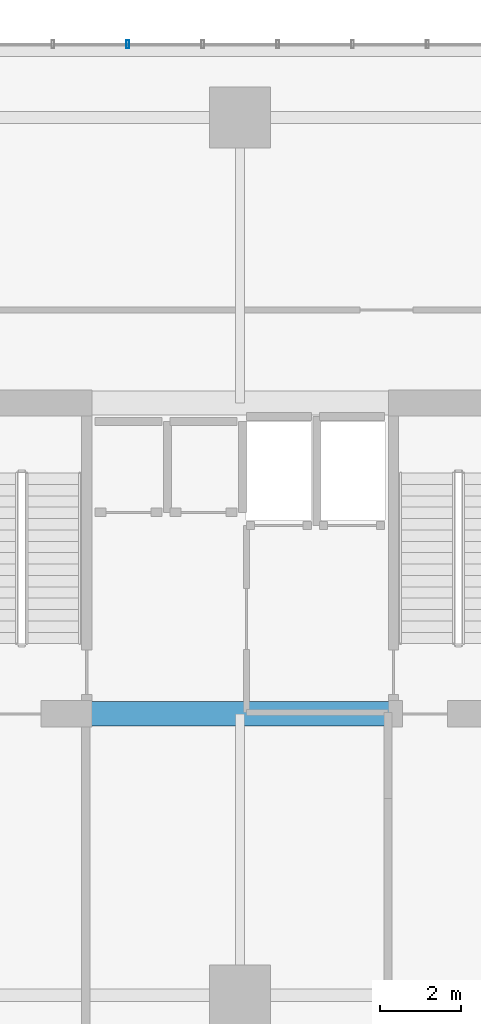
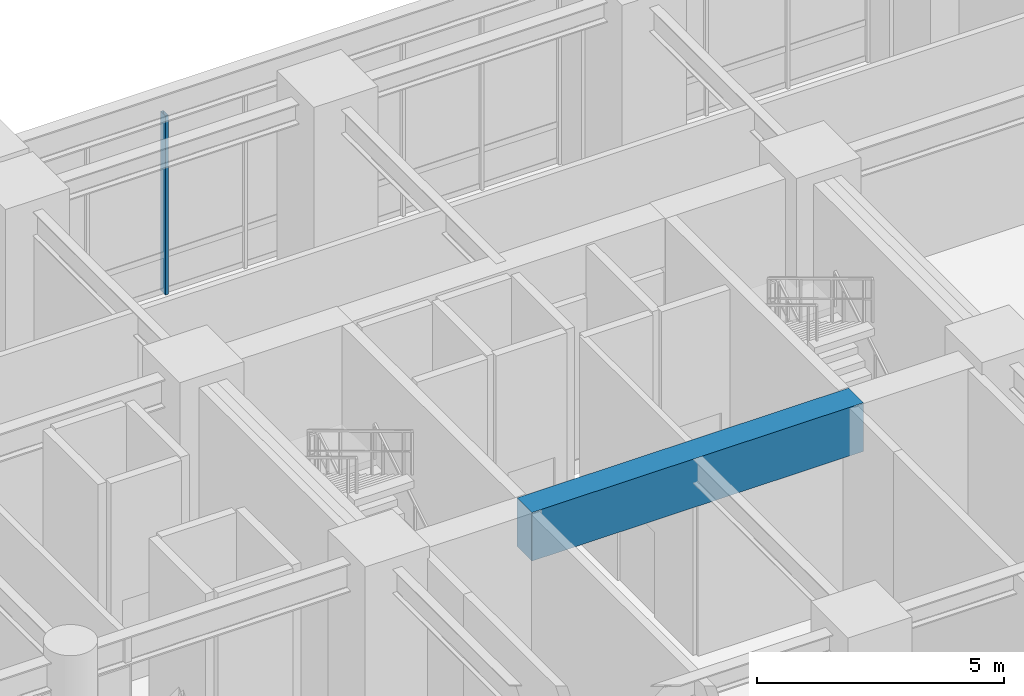
# One storey, part 4 of 22: 1 beam, 1 member, 1 element without a shape of its own.
"""IFC4 building model written with IfcOpenShell, lengths in metres."""

from ifc_helpers import new_model, si_unit, direction, frame, origin, origin_2d, place, context, subcontext, project, spatial, rectangle, hollow_rectangle, extrude, source, transform, mapped, material, layer, layer_set, material_profile, profile_set, type_object, element, aggregate, save


model = new_model("IFC4")

# Units and contexts
model_context = context("Model", 3, precision=1e-05, world=origin(), true_north=direction((0.0, 1.0)))
body_context = subcontext(model_context, "Body", "Model", "MODEL_VIEW")
ifc_project = project(units=[si_unit("LENGTHUNIT", "METRE"), si_unit("AREAUNIT", "SQUARE_METRE"), si_unit("VOLUMEUNIT", "CUBIC_METRE"), si_unit("PLANEANGLEUNIT", "RADIAN"), si_unit("MASSUNIT", "GRAM", prefix="KILO")], contexts=[model_context])

# Site, building, storey
site_placement = place(None, origin())
site = spatial("IfcSite", under=ifc_project, at=site_placement, CompositionType="ELEMENT")
building_placement = place(site_placement, origin())
building = spatial("IfcBuilding", under=site, at=building_placement, Name="Kaliganga Portal Commons", CompositionType="ELEMENT")
storey_placement = place(building_placement, origin())
storey = spatial("IfcBuildingStorey", under=building, at=storey_placement, Name="L00", CompositionType="ELEMENT", Elevation=0.0)

# Beam
ifc_material_1 = material(Name="Concrete C60/75", Category="concrete")
ifc_material_profile_1 = material_profile(ifc_material_1, rectangle(XDim=0.60009765625, YDim=1.199951171875, at=origin_2d()), Name="RC 600x1200")
ifc_profile_set_1 = profile_set([ifc_material_profile_1], Name="Concrete C60/75")
beam_type = type_object("IfcBeamType", Name="BM-CPL-1200", PredefinedType="LINTEL", material=ifc_profile_set_1)
shared_shape_1 = source(origin(), body_context, "Body", "SweptSolid", [
    extrude(rectangle(XDim=0.60009765625, YDim=1.199951171875, at=origin_2d()), origin(), (0.0, 0.0, 1.0), 7.739990234375),
])
beam_placement = place(storey_placement, frame((17.72998046875, 28.52490234375, 4.52001953125), z_axis=(1.0, 0.0, 0.0), x_axis=(0.0, 1.0, 0.0)))
element("IfcBeam", 1, at=beam_placement, inside=storey, type_object=beam_type, Name="BM CPL COREA L00 S", PredefinedType="LINTEL", context=body_context, shape_type="MappedRepresentation", body=[
    mapped(shared_shape_1, transform((0.0, 0.0, 0.0), x_axis=(1.0, 0.0, 0.0), y_axis=(0.0, 1.0, 0.0), z_axis=(0.0, 0.0, 1.0), scale=1.0)),
])

# Curtain wall, member
ifc_material_2 = material(Name="Anodized Aluminium and Laminated Low-E Glass", Category="aluminium")
ifc_layer = layer(ifc_material_2, 0.219970703125)
ifc_layer_set = layer_set([ifc_layer], Name="Anodized Aluminium and Laminated Low-E Glass")
curtain_wall_type = type_object("IfcCurtainWallType", Name="CW-SYS-01", PredefinedType="NOTDEFINED", material=ifc_layer_set)
curtain_wall_placement = place(storey_placement, origin())
curtain_wall = element("IfcCurtainWall", 2, at=curtain_wall_placement, inside=storey, type_object=curtain_wall_type, Name="CW 01 L00 P1E02S6", PredefinedType="NOTDEFINED")
ifc_material_3 = material(Name="Dark Bronze Anodized Aluminium", Category="aluminium")
ifc_material_profile_2 = material_profile(ifc_material_3, hollow_rectangle(XDim=0.070068359375, YDim=0.199951171875, WallThickness=0.00390625, at=origin_2d()), Name="ALU MULL 70x200x4")
ifc_profile_set_2 = profile_set([ifc_material_profile_2], Name="Dark Bronze Anodized Aluminium")
member_type = type_object("IfcMemberType", Name="CW-MUL-220", PredefinedType="MULLION", material=ifc_profile_set_2)
shared_shape_2 = source(origin(), body_context, "Body", "SweptSolid", [
    extrude(hollow_rectangle(XDim=0.070068359375, YDim=0.199951171875, WallThickness=0.00390625, at=origin_2d()), origin(), (0.0, 0.0, 1.0), 4.419921875),
])
member_placement = place(storey_placement, frame((18.836181640625, 45.0, 0.0), z_axis=(0.0, 0.0, 1.0), x_axis=(-1.0, 0.0, 0.0)))
member = element("IfcMember", 3, at=member_placement, type_object=member_type, Name="CW:01:L00:P1E02S6 Mullion 05", PredefinedType="MULLION", context=body_context, shape_type="MappedRepresentation", body=[
    mapped(shared_shape_2, transform((0.0, 0.0, 0.0), x_axis=(1.0, 0.0, 0.0), y_axis=(0.0, 1.0, 0.0), z_axis=(0.0, 0.0, 1.0), scale=1.0)),
])
aggregate(curtain_wall, [member])

save(model, "model.ifc")
